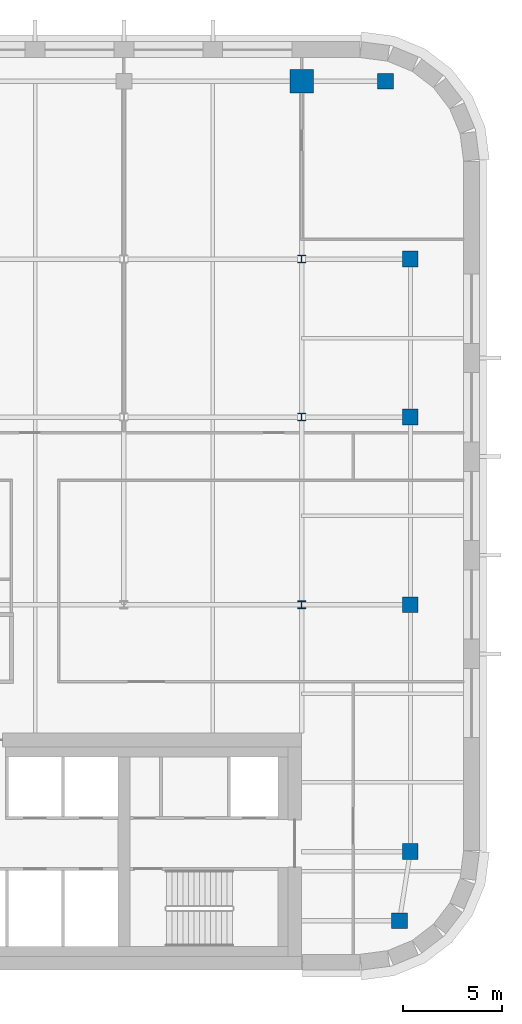
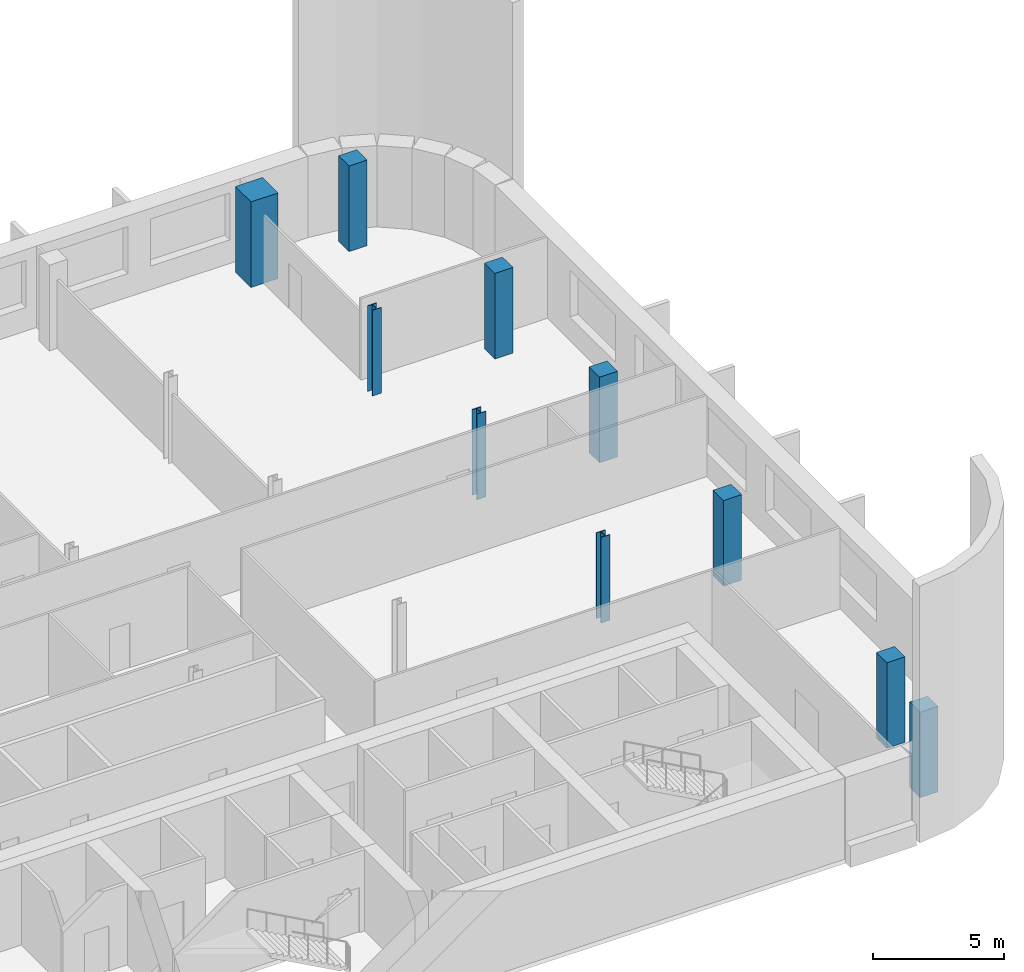
# One storey, part 4 of 16: 10 columns.
"""IFC4 building model written with IfcOpenShell, lengths in metres."""

from ifc_helpers import new_model, si_unit, direction, frame, origin, origin_2d, place, context, subcontext, project, spatial, rectangle, i_section, extrude, material, material_profile, profile_set, type_object, element, save


model = new_model("IFC4")

# Units and contexts
model_context = context("Model", 3, precision=1e-05, world=origin(), true_north=direction((0.0, 1.0)))
body_context = subcontext(model_context, "Body", "Model", "MODEL_VIEW")
ifc_project = project(units=[si_unit("LENGTHUNIT", "METRE"), si_unit("AREAUNIT", "SQUARE_METRE"), si_unit("VOLUMEUNIT", "CUBIC_METRE"), si_unit("PLANEANGLEUNIT", "RADIAN"), si_unit("MASSUNIT", "GRAM", prefix="KILO")], contexts=[model_context])

# Site, building, storey
site_placement = place(None, origin())
site = spatial("IfcSite", under=ifc_project, at=site_placement, CompositionType="ELEMENT")
building_placement = place(site_placement, origin())
building = spatial("IfcBuilding", under=site, at=building_placement, Name="Zellij Exchange Tower", CompositionType="ELEMENT")
storey_placement = place(building_placement, frame((0.0, 0.0, 244.5)))
storey = spatial("IfcBuildingStorey", under=building, at=storey_placement, Name="L57", CompositionType="ELEMENT", Elevation=244.5)

# Columns
ifc_material_1 = material(Name="Concrete C50/60", Category="concrete")
ifc_material_profile_1 = material_profile(ifc_material_1, rectangle(XDim=0.800048828125, YDim=0.800048828125, at=origin_2d()), Name="STR-COLUMN RC800x800 C50/60")
ifc_profile_set_1 = profile_set([ifc_material_profile_1], Name="Concrete C50/60")
column_type_1 = type_object("IfcColumnType", Name="STR-COLUMN RC800x800 C50/60", PredefinedType="COLUMN", material=ifc_profile_set_1)
for number, where, z_axis, x_axis, name in (
    (1, (31.949951171875, -11.5, 0.0), (0.0, 0.0, 1.0), (1.0, 0.0, 0.0), "C15"),
    (2, (32.5, -8.0, 0.0), (0.0, 0.0, 1.0), (1.0, 0.0, 0.0), "C15"),
    (3, (32.5, 4.5, 0.0), (0.0, 0.0, 1.0), (1.0, 0.0, 0.0), "C15"),
    (4, (32.5, 14.0, 0.0), (0.0, 0.0, 1.0), (1.0, 0.0, 0.0), "C15"),
    (5, (32.5, 22.0, 0.0), (0.0, 0.0, 1.0), (1.0, 0.0, 0.0), "C15"),
    (6, (31.25, 31.0, 0.0), (0.0, 0.0, 1.0), (1.0, 0.0, 0.0), "C15"),
):
    element("IfcColumn", number, at=place(storey_placement, frame(where, z_axis=z_axis, x_axis=x_axis)), inside=storey, type_object=column_type_1, Name=name, PredefinedType="COLUMN", context=body_context, shape_type="SweptSolid", body=[
        extrude(rectangle(XDim=0.800048828125, YDim=0.800048828125, at=origin_2d()), origin(), (0.0, 0.0, 1.0), 4.0),
    ])
ifc_material_2 = material(Name="Structural steel ASTM A992 Gr 50", Category="steel")
ifc_material_profile_2 = material_profile(ifc_material_2, i_section(OverallWidth=0.398681640625, OverallDepth=0.385986328125, WebThickness=0.02099609375, FlangeThickness=0.033203125, at=origin_2d()), Name="W14x176")
ifc_profile_set_2 = profile_set([ifc_material_profile_2], Name="Structural steel ASTM A992 Gr 50")
column_type_2 = type_object("IfcColumnType", Name="STR-COLUMN W14x176", PredefinedType="COLUMN", material=ifc_profile_set_2)
for number, where, z_axis, x_axis, name in (
    (7, (27.0, 4.5, 0.0), (0.0, 0.0, 1.0), (1.0, 0.0, 0.0), "C2"),
    (8, (27.0, 14.0, 0.0), (0.0, 0.0, 1.0), (1.0, 0.0, 0.0), "C2"),
    (9, (27.0, 22.0, 0.0), (0.0, 0.0, 1.0), (1.0, 0.0, 0.0), "C2"),
):
    element("IfcColumn", number, at=place(storey_placement, frame(where, z_axis=z_axis, x_axis=x_axis)), inside=storey, type_object=column_type_2, Name=name, PredefinedType="COLUMN", context=body_context, shape_type="SweptSolid", body=[
        extrude(i_section(OverallWidth=0.398681640625, OverallDepth=0.385986328125, WebThickness=0.02099609375, FlangeThickness=0.033203125, at=origin_2d()), origin(), (0.0, 0.0, 1.0), 4.0),
    ])
ifc_material_profile_3 = material_profile(ifc_material_1, rectangle(XDim=1.199951171875, YDim=1.199951171875, at=origin_2d()), Name="STR-MEGA COLUMN RC1200x1200 C50/60")
ifc_profile_set_3 = profile_set([ifc_material_profile_3], Name="Concrete C50/60")
column_type_3 = type_object("IfcColumnType", Name="STR-MEGA COLUMN RC1200x1200 C50/60", PredefinedType="COLUMN", material=ifc_profile_set_3)
column_placement = place(storey_placement, frame((27.0, 31.0, 0.0), z_axis=(0.0, 0.0, 1.0), x_axis=(1.0, 0.0, 0.0)))
element("IfcColumn", 10, at=column_placement, inside=storey, type_object=column_type_3, Name="MC2", PredefinedType="COLUMN", context=body_context, shape_type="SweptSolid", body=[
    extrude(rectangle(XDim=1.199951171875, YDim=1.199951171875, at=origin_2d()), origin(), (0.0, 0.0, 1.0), 4.0),
])

save(model, "model.ifc")
